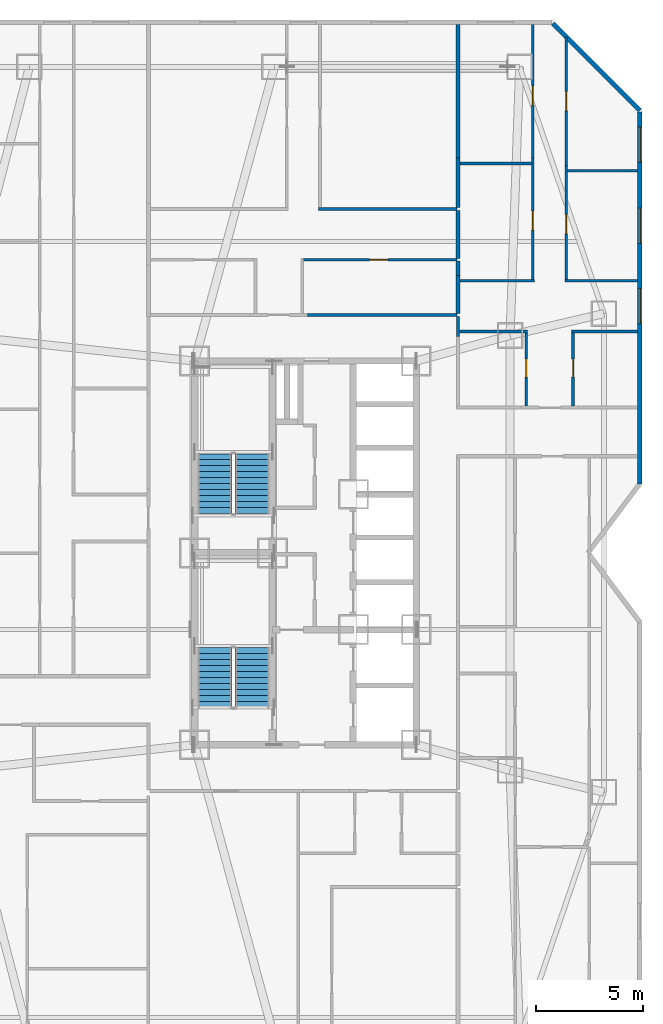
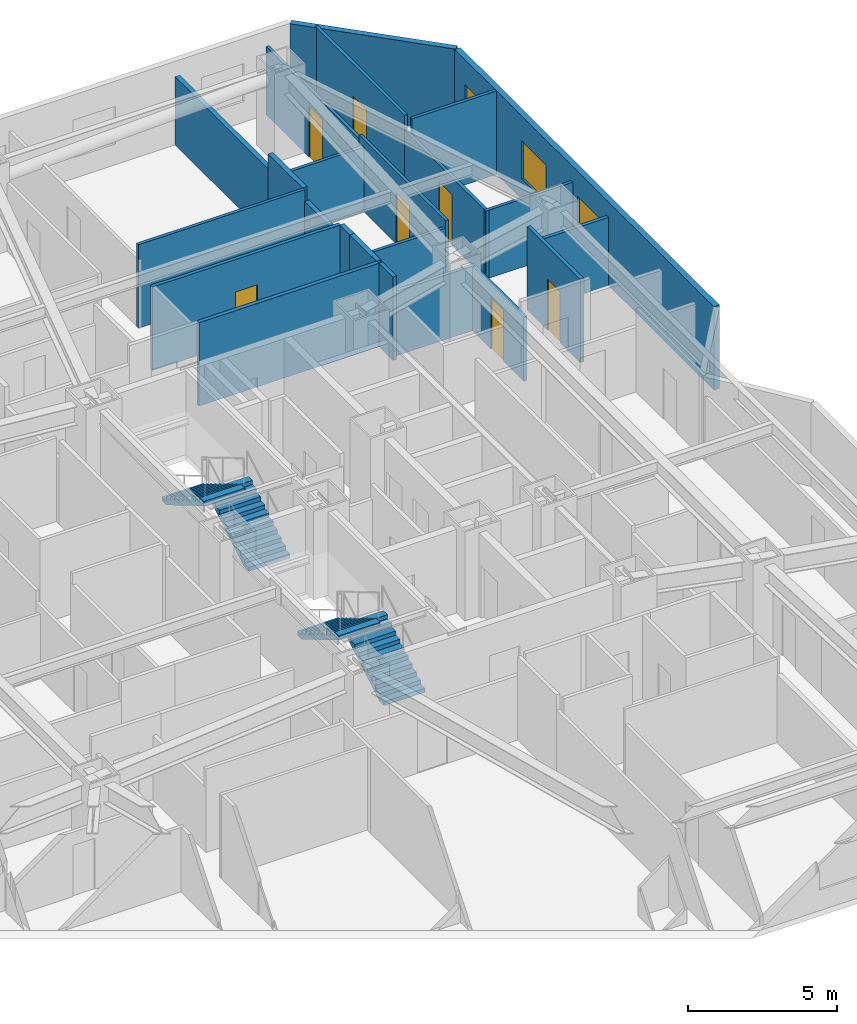
# One storey, part 23 of 25: 23 walls, 7 doors, 4 stair flights, 3 windows, 10 openings, 2 elements without a shape of their own.
"""IFC4 building model written with IfcOpenShell, lengths in metres."""

from ifc_helpers import new_model, si_unit, direction, frame, frame_2d, origin, place, context, subcontext, project, spatial, polyline, rectangle, outline, extrude, material, layer, layer_set, type_object, element, fill, aggregate, save


model = new_model("IFC4")

# Units and contexts
model_context = context("Model", 3, precision=1e-05, world=origin(), true_north=direction((0.0, 1.0)))
body_context = subcontext(model_context, "Body", "Model", "MODEL_VIEW")
ifc_project = project(units=[si_unit("LENGTHUNIT", "METRE"), si_unit("AREAUNIT", "SQUARE_METRE"), si_unit("VOLUMEUNIT", "CUBIC_METRE"), si_unit("PLANEANGLEUNIT", "RADIAN"), si_unit("MASSUNIT", "GRAM", prefix="KILO")], contexts=[model_context])

# Site, building, storey
site_placement = place(None, origin())
site = spatial("IfcSite", under=ifc_project, at=site_placement, CompositionType="ELEMENT")
building_placement = place(site_placement, origin())
building = spatial("IfcBuilding", under=site, at=building_placement, Name="Khamvora Tower", CompositionType="ELEMENT")
storey_placement = place(building_placement, frame((0.0, 0.0, 36.949951171875)))
storey = spatial("IfcBuildingStorey", under=building, at=storey_placement, Name="L08", CompositionType="ELEMENT", Elevation=36.949951171875)

# Walls
ifc_material_1 = material(Name="Fire-Rated Drywall and Steel Stud", Category="steel")
ifc_layer_1 = layer(ifc_material_1, 0.14990234375)
ifc_layer_set_1 = layer_set([ifc_layer_1], Name="Fire-Rated Drywall and Steel Stud")
wall_type_1 = type_object("IfcWallType", Name="WAL-CORR-150", PredefinedType="STANDARD", material=ifc_layer_set_1)
wall_1_placement = place(storey_placement, frame((34.299072265625, 39.1650390625, 0.0), z_axis=(0.0, 0.0, 1.0), x_axis=(1.0, 0.0, 0.0)))
element("IfcWall", 1, at=wall_1_placement, inside=storey, type_object=wall_type_1, Name="L08 interior partition wall 029", PredefinedType="STANDARD", context=body_context, shape_type="SweptSolid", body=[
    extrude(rectangle(XDim=7.0009765625, YDim=0.14990234375, at=frame_2d((3.50048828125, 0.0))), origin(), (0.0, 0.0, 1.0), 3.429931640625),
])
wall_2_placement = place(storey_placement, frame((41.364990234375, 39.10009765625, 0.0), z_axis=(0.0, 0.0, 1.0), x_axis=(0.0, -1.0, 0.0)))
element("IfcWall", 2, at=wall_2_placement, inside=storey, type_object=wall_type_1, Name="L08 interior partition wall 037", PredefinedType="STANDARD", context=body_context, shape_type="SweptSolid", body=[
    extrude(rectangle(XDim=0.9541015625, YDim=0.14990234375, at=frame_2d((0.47705078125, 0.0))), origin(), (0.0, 0.0, 1.0), 3.429931640625),
])
ifc_material_2 = material(Name="Acoustic Double-Stud Fire Wall", Category="gypsum")
ifc_layer_2 = layer(ifc_material_2, 0.179931640625)
ifc_layer_set_2 = layer_set([ifc_layer_2], Name="Acoustic Double-Stud Fire Wall")
wall_type_2 = type_object("IfcWallType", Name="WAL-CORR-180", PredefinedType="STANDARD", material=ifc_layer_set_2)
wall_3_placement = place(storey_placement, frame((41.364990234375, 44.069091796875, 0.0), z_axis=(0.0, 0.0, 1.0), x_axis=(0.0, -1.0, 0.0)))
element("IfcWall", 3, at=wall_3_placement, inside=storey, type_object=wall_type_2, Name="L08 interior partition wall 140", PredefinedType="STANDARD", context=body_context, shape_type="SweptSolid", body=[
    extrude(rectangle(XDim=2.25, YDim=0.179931640625, at=frame_2d((1.125, 0.0))), origin(), (0.0, 0.0, 1.0), 2.95703125),
])
wall_4_placement = place(storey_placement, frame((41.364990234375, 41.02392578125, 0.0), z_axis=(0.0, 0.0, 1.0), x_axis=(0.0, -1.0, 0.0)))
element("IfcWall", 4, at=wall_4_placement, inside=storey, type_object=wall_type_2, Name="L08 interior partition wall 141", PredefinedType="STANDARD", context=body_context, shape_type="SweptSolid", body=[
    extrude(rectangle(XDim=1.7939453125, YDim=0.179931640625, at=frame_2d((0.89697265625, 0.0))), origin(), (0.0, 0.0, 1.0), 3.429931640625),
])
wall_5_placement = place(storey_placement, frame((41.364990234375, 41.68896484375, 0.0), z_axis=(0.0, 0.0, 1.0), x_axis=(0.0, -1.0, 0.0)))
element("IfcWall", 5, at=wall_5_placement, inside=storey, type_object=wall_type_2, Name="L08 interior partition wall 142", PredefinedType="STANDARD", context=body_context, shape_type="SweptSolid", body=[
    extrude(rectangle(XDim=0.6650390625, YDim=0.179931640625, at=frame_2d((0.33251953125, 0.0))), origin(), (0.0, 0.0, 1.0), 3.429931640625),
])
wall_6_placement = place(storey_placement, frame((41.364990234375, 46.51708984375, 0.0), z_axis=(0.0, 0.0, 1.0), x_axis=(0.0, -1.0, 0.0)))
element("IfcWall", 6, at=wall_6_placement, inside=storey, type_object=wall_type_2, Name="L08 interior partition wall 143", PredefinedType="STANDARD", context=body_context, shape_type="SweptSolid", body=[
    extrude(rectangle(XDim=2.318115234375, YDim=0.179931640625, at=frame_2d((1.1591796875, 0.0))), origin(), (0.0, 0.0, 1.0), 3.429931640625),
])
wall_7_placement = place(storey_placement, frame((41.364990234375, 52.7880859375, 0.0), z_axis=(0.0, 0.0, 1.0), x_axis=(0.0, -1.0, 0.0)))
element("IfcWall", 7, at=wall_7_placement, inside=storey, type_object=wall_type_2, Name="L08 interior partition wall 144", PredefinedType="STANDARD", context=body_context, shape_type="SweptSolid", body=[
    extrude(rectangle(XDim=6.27099609375, YDim=0.179931640625, at=frame_2d((3.135498046875, 0.0))), origin(), (0.0, 0.0, 1.0), 2.802978515625),
])
ifc_material_3 = material(Name="Precast concrete C40/50", Category="concrete")
ifc_layer_3 = layer(ifc_material_3, 0.219970703125)
ifc_layer_set_3 = layer_set([ifc_layer_3], Name="Precast concrete C40/50")
wall_type_3 = type_object("IfcWallType", Name="WAL-EXT-220", PredefinedType="STANDARD", material=ifc_layer_set_3)
wall_8_placement = place(storey_placement, frame((45.802001953125, 52.842041015625, 0.0), z_axis=(0.0, 0.0, 1.0), x_axis=(0.707085666273, -0.70712789547, 0.0)))
element("IfcWall", 8, at=wall_8_placement, inside=storey, type_object=wall_type_3, Name="L08 exterior facade wall 08.1", PredefinedType="STANDARD", context=body_context, shape_type="SweptSolid", body=[
    extrude(rectangle(XDim=5.78125, YDim=0.219970703125, at=frame_2d((2.890625, 0.0))), origin(), (0.0, 0.0, 1.0), 3.429931640625),
])

# Wall, openings, windows
wall_9_placement = place(storey_placement, frame((49.889892578125, 48.68310546875, 0.0), z_axis=(0.0, 0.0, 1.0), x_axis=(0.0, -1.0, 0.0)))
wall_9 = element("IfcWall", 9, at=wall_9_placement, inside=storey, type_object=wall_type_3, Name="L08 exterior facade wall 09.1", PredefinedType="STANDARD", context=body_context, shape_type="SweptSolid", body=[
    extrude(rectangle(XDim=17.446044921875, YDim=0.219970703125, at=frame_2d((8.72314453125, 0.0))), origin(), (0.0, 0.0, 1.0), 3.429931640625),
])
opening_1_placement = place(wall_9_placement, frame((8.27294921875, 0.0, 0.85009765625)))
opening_1 = element("IfcOpeningElement", 10, at=opening_1_placement, cuts=wall_9, Name="Opening WN-06", PredefinedType="OPENING", context=body_context, shape_type="SweptSolid", body=[
    extrude(rectangle(XDim=1.64990234375, YDim=1.550048828125, at=frame_2d((0.824951171875, 0.77490234375))), frame((0.0, 0.119873046875, 0.0), z_axis=(0.0, -1.0, 0.0), x_axis=(1.0, 0.0, 0.0)), (0.0, 0.0, 1.0), 0.239990234375),
])
opening_2_placement = place(wall_9_placement, frame((4.507080078125, 0.0, 0.85009765625)))
opening_2 = element("IfcOpeningElement", 11, at=opening_2_placement, cuts=wall_9, Name="Opening WN-06", PredefinedType="OPENING", context=body_context, shape_type="SweptSolid", body=[
    extrude(rectangle(XDim=1.64990234375, YDim=1.550048828125, at=frame_2d((0.824951171875, 0.77490234375))), frame((0.0, 0.119873046875, 0.0), z_axis=(0.0, -1.0, 0.0), x_axis=(1.0, 0.0, 0.0)), (0.0, 0.0, 1.0), 0.239990234375),
])
opening_3_placement = place(wall_9_placement, frame((0.695068359375, 0.0, 0.85009765625)))
opening_3 = element("IfcOpeningElement", 12, at=opening_3_placement, cuts=wall_9, Name="Opening WN-06", PredefinedType="OPENING", context=body_context, shape_type="SweptSolid", body=[
    extrude(rectangle(XDim=1.64990234375, YDim=1.550048828125, at=frame_2d((0.824951171875, 0.77490234375))), frame((0.0, 0.119873046875, 0.0), z_axis=(0.0, -1.0, 0.0), x_axis=(1.0, 0.0, 0.0)), (0.0, 0.0, 1.0), 0.239990234375),
])
ifc_material_4 = material(Name="Low-E Laminated Double Glazing", Category="glass")
window_type = type_object("IfcWindowType", Name="WIN-VIS-1650x1550", PartitioningType="SINGLE_PANEL", PredefinedType="WINDOW", material=ifc_material_4)
window_1_placement = place(opening_1_placement, origin())
window_1 = element("IfcWindow", 13, at=window_1_placement, inside=storey, type_object=window_type, Name="L08 vision window 09.1.01", OverallHeight=1.550048828125, OverallWidth=1.64990234375, PartitioningType="SINGLE_PANEL", PredefinedType="WINDOW", context=body_context, shape_type="SweptSolid", body=[
    extrude(rectangle(XDim=1.64990234375, YDim=1.550048828125, at=frame_2d((0.824951171875, 0.77490234375))), frame((0.0, 0.030029296875, 0.0), z_axis=(0.0, -1.0, 0.0), x_axis=(1.0, 0.0, 0.0)), (0.0, 0.0, 1.0), 0.06005859375),
])
fill(opening_1, window_1)
window_2_placement = place(opening_2_placement, origin())
window_2 = element("IfcWindow", 14, at=window_2_placement, inside=storey, type_object=window_type, Name="L08 vision window 09.1.02", OverallHeight=1.550048828125, OverallWidth=1.64990234375, PartitioningType="SINGLE_PANEL", PredefinedType="WINDOW", context=body_context, shape_type="SweptSolid", body=[
    extrude(rectangle(XDim=1.64990234375, YDim=1.550048828125, at=frame_2d((0.824951171875, 0.77490234375))), frame((0.0, 0.030029296875, 0.0), z_axis=(0.0, -1.0, 0.0), x_axis=(1.0, 0.0, 0.0)), (0.0, 0.0, 1.0), 0.06005859375),
])
fill(opening_2, window_2)
window_3_placement = place(opening_3_placement, origin())
window_3 = element("IfcWindow", 15, at=window_3_placement, inside=storey, type_object=window_type, Name="L08 vision window 09.1.03", OverallHeight=1.550048828125, OverallWidth=1.64990234375, PartitioningType="SINGLE_PANEL", PredefinedType="WINDOW", context=body_context, shape_type="SweptSolid", body=[
    extrude(rectangle(XDim=1.64990234375, YDim=1.550048828125, at=frame_2d((0.824951171875, 0.77490234375))), frame((0.0, 0.030029296875, 0.0), z_axis=(0.0, -1.0, 0.0), x_axis=(1.0, 0.0, 0.0)), (0.0, 0.0, 1.0), 0.06005859375),
])
fill(opening_3, window_3)

# Walls
ifc_material_5 = material(Name="Gypsum Plasterboard Partition", Category="gypsum")
ifc_layer_4 = layer(ifc_material_5, 0.1201171875)
ifc_layer_set_4 = layer_set([ifc_layer_4], Name="Gypsum Plasterboard Partition")
wall_type_4 = type_object("IfcWallType", Name="WAL-PART-120", PredefinedType="PARTITIONING", material=ifc_layer_set_4)
wall_10_placement = place(storey_placement, frame((34.820068359375, 44.134033203125, 0.0), z_axis=(0.0, 0.0, 1.0), x_axis=(1.0, 0.0, 0.0)))
element("IfcWall", 16, at=wall_10_placement, inside=storey, type_object=wall_type_4, Name="L08 interior partition wall 139", PredefinedType="PARTITIONING", context=body_context, shape_type="SweptSolid", body=[
    extrude(rectangle(XDim=6.47998046875, YDim=0.1201171875, at=frame_2d((3.239990234375, 0.0))), origin(), (0.0, 0.0, 1.0), 3.429931640625),
])
wall_11_placement = place(storey_placement, frame((41.447021484375, 40.77490234375, 0.0), z_axis=(0.0, 0.0, 1.0), x_axis=(1.0, 0.0, 0.0)))
element("IfcWall", 17, at=wall_11_placement, inside=storey, type_object=wall_type_4, Name="L08 interior partition wall 163", PredefinedType="PARTITIONING", context=body_context, shape_type="SweptSolid", body=[
    extrude(rectangle(XDim=3.492919921875, YDim=0.1201171875, at=frame_2d((1.74658203125, 0.0))), origin(), (0.0, 0.0, 1.0), 2.64697265625),
])

# Wall, opening, door
wall_12_placement = place(storey_placement, frame((44.875, 40.7099609375, 0.0), z_axis=(0.0, 0.0, 1.0), x_axis=(0.0, 1.0, 0.0)))
wall_12 = element("IfcWall", 18, at=wall_12_placement, inside=storey, type_object=wall_type_4, Name="L08 interior partition wall 164", PredefinedType="PARTITIONING", context=body_context, shape_type="SweptSolid", body=[
    extrude(rectangle(XDim=5.80712890625, YDim=0.1201171875, at=frame_2d((2.903564453125, 0.0))), origin(), (0.0, 0.0, 1.0), 2.95703125),
])
opening_4_placement = place(wall_12_placement, frame((2.431884765625, 0.0, 0.0)))
opening_4 = element("IfcOpeningElement", 19, at=opening_4_placement, cuts=wall_12, Name="Opening D-RM1", PredefinedType="OPENING", context=body_context, shape_type="SweptSolid", body=[
    extrude(rectangle(XDim=0.89990234375, YDim=2.10009765625, at=frame_2d((0.449951171875, 1.050048828125))), frame((0.0, 0.070068359375, 0.0), z_axis=(0.0, -1.0, 0.0), x_axis=(1.0, 0.0, 0.0)), (0.0, 0.0, 1.0), 0.14013671875),
])
ifc_material_6 = material(Name="Powder-Coated Steel and Hardwood Leaf", Category="steel")
door_type_1 = type_object("IfcDoorType", Name="DOR-ROOM-900", OperationType="NOTDEFINED", PredefinedType="DOOR", material=ifc_material_6)
door_1_placement = place(opening_4_placement, origin())
door_1 = element("IfcDoor", 20, at=door_1_placement, inside=storey, type_object=door_type_1, Name="L08 interior door 08ECH-08ECL", OperationType="SINGLE_SWING_LEFT", OverallHeight=2.10009765625, OverallWidth=0.89990234375, PredefinedType="DOOR", context=body_context, shape_type="SweptSolid", body=[
    extrude(rectangle(XDim=0.89990234375, YDim=2.10009765625, at=frame_2d((0.449951171875, 1.050048828125))), frame((0.0, 0.02490234375, 0.0), z_axis=(0.0, -1.0, 0.0), x_axis=(1.0, 0.0, 0.0)), (0.0, 0.0, 1.0), 0.050048828125),
])
fill(opening_4, door_1)

wall_13_placement = place(storey_placement, frame((44.875, 46.51708984375, 0.0), z_axis=(0.0, 0.0, 1.0), x_axis=(0.0, 1.0, 0.0)))
wall_13 = element("IfcWall", 21, at=wall_13_placement, inside=storey, type_object=wall_type_4, Name="L08 interior partition wall 165", PredefinedType="PARTITIONING", context=body_context, shape_type="SweptSolid", body=[
    extrude(rectangle(XDim=6.27099609375, YDim=0.1201171875, at=frame_2d((3.135498046875, 0.0))), origin(), (0.0, 0.0, 1.0), 2.802978515625),
])
opening_5_placement = place(wall_13_placement, frame((2.48388671875, 0.0, 0.0)))
opening_5 = element("IfcOpeningElement", 22, at=opening_5_placement, cuts=wall_13, Name="Opening D-RM1", PredefinedType="OPENING", context=body_context, shape_type="SweptSolid", body=[
    extrude(rectangle(XDim=0.89990234375, YDim=2.10009765625, at=frame_2d((0.449951171875, 1.050048828125))), frame((0.0, 0.070068359375, 0.0), z_axis=(0.0, -1.0, 0.0), x_axis=(1.0, 0.0, 0.0)), (0.0, 0.0, 1.0), 0.14013671875),
])
door_2_placement = place(opening_5_placement, origin())
door_2 = element("IfcDoor", 23, at=door_2_placement, inside=storey, type_object=door_type_1, Name="L08 interior door 08ECH-08ECR2", OperationType="SINGLE_SWING_LEFT", OverallHeight=2.10009765625, OverallWidth=0.89990234375, PredefinedType="DOOR", context=body_context, shape_type="SweptSolid", body=[
    extrude(rectangle(XDim=0.89990234375, YDim=2.10009765625, at=frame_2d((0.449951171875, 1.050048828125))), frame((0.0, 0.02490234375, 0.0), z_axis=(0.0, -1.0, 0.0), x_axis=(1.0, 0.0, 0.0)), (0.0, 0.0, 1.0), 0.050048828125),
])
fill(opening_5, door_2)

# Wall
wall_14_placement = place(storey_placement, frame((46.3798828125, 40.77490234375, 0.0), z_axis=(0.0, 0.0, 1.0), x_axis=(1.0, 0.0, 0.0)))
element("IfcWall", 24, at=wall_14_placement, inside=storey, type_object=wall_type_4, Name="L08 interior partition wall 166", PredefinedType="PARTITIONING", context=body_context, shape_type="SweptSolid", body=[
    extrude(rectangle(XDim=3.408203125, YDim=0.1201171875, at=frame_2d((1.7041015625, 0.0))), origin(), (0.0, 0.0, 1.0), 2.802978515625),
])

# Wall, opening, door
wall_15_placement = place(storey_placement, frame((46.445068359375, 46.177001953125, 0.0), z_axis=(0.0, 0.0, 1.0), x_axis=(0.0, -1.0, 0.0)))
wall_15 = element("IfcWall", 25, at=wall_15_placement, inside=storey, type_object=wall_type_4, Name="L08 interior partition wall 167", PredefinedType="PARTITIONING", context=body_context, shape_type="SweptSolid", body=[
    extrude(rectangle(XDim=5.467041015625, YDim=0.1201171875, at=frame_2d((2.7333984375, 0.0))), origin(), (0.0, 0.0, 1.0), 2.802978515625),
])
opening_6_placement = place(wall_15_placement, frame((2.303955078125, 0.0, 0.0)))
opening_6 = element("IfcOpeningElement", 26, at=opening_6_placement, cuts=wall_15, Name="Opening D-RM1", PredefinedType="OPENING", context=body_context, shape_type="SweptSolid", body=[
    extrude(rectangle(XDim=0.89990234375, YDim=2.10009765625, at=frame_2d((0.449951171875, 1.050048828125))), frame((0.0, 0.070068359375, 0.0), z_axis=(0.0, -1.0, 0.0), x_axis=(1.0, 0.0, 0.0)), (0.0, 0.0, 1.0), 0.14013671875),
])
door_3_placement = place(opening_6_placement, origin())
door_3 = element("IfcDoor", 27, at=door_3_placement, inside=storey, type_object=door_type_1, Name="L08 interior door 08ECH-08ECR3", OperationType="SINGLE_SWING_RIGHT", OverallHeight=2.10009765625, OverallWidth=0.89990234375, PredefinedType="DOOR", context=body_context, shape_type="SweptSolid", body=[
    extrude(rectangle(XDim=0.89990234375, YDim=2.10009765625, at=frame_2d((0.449951171875, 1.050048828125))), frame((0.0, 0.02490234375, 0.0), z_axis=(0.0, -1.0, 0.0), x_axis=(1.0, 0.0, 0.0)), (0.0, 0.0, 1.0), 0.050048828125),
])
fill(opening_6, door_3)

wall_16_placement = place(storey_placement, frame((46.445068359375, 52.2080078125, 0.0), z_axis=(0.0, 0.0, 1.0), x_axis=(0.0, -1.0, 0.0)))
wall_16 = element("IfcWall", 28, at=wall_16_placement, inside=storey, type_object=wall_type_4, Name="L08 interior partition wall 168", PredefinedType="PARTITIONING", context=body_context, shape_type="SweptSolid", body=[
    extrude(rectangle(XDim=6.031005859375, YDim=0.1201171875, at=frame_2d((3.015625, 0.0))), origin(), (0.0, 0.0, 1.0), 3.429931640625),
])
opening_7_placement = place(wall_16_placement, frame((2.56494140625, 0.0, 0.0)))
opening_7 = element("IfcOpeningElement", 29, at=opening_7_placement, cuts=wall_16, Name="Opening D-RM1", PredefinedType="OPENING", context=body_context, shape_type="SweptSolid", body=[
    extrude(rectangle(XDim=0.89990234375, YDim=2.10009765625, at=frame_2d((0.449951171875, 1.050048828125))), frame((0.0, 0.070068359375, 0.0), z_axis=(0.0, -1.0, 0.0), x_axis=(1.0, 0.0, 0.0)), (0.0, 0.0, 1.0), 0.14013671875),
])
door_4_placement = place(opening_7_placement, origin())
door_4 = element("IfcDoor", 30, at=door_4_placement, inside=storey, type_object=door_type_1, Name="L08 interior door 08ECH-08ECR4", OperationType="SINGLE_SWING_LEFT", OverallHeight=2.10009765625, OverallWidth=0.89990234375, PredefinedType="DOOR", context=body_context, shape_type="SweptSolid", body=[
    extrude(rectangle(XDim=0.89990234375, YDim=2.10009765625, at=frame_2d((0.449951171875, 1.050048828125))), frame((0.0, 0.02490234375, 0.0), z_axis=(0.0, -1.0, 0.0), x_axis=(1.0, 0.0, 0.0)), (0.0, 0.0, 1.0), 0.050048828125),
])
fill(opening_7, door_4)

# Walls
wall_17_placement = place(storey_placement, frame((41.447021484375, 46.26806640625, 0.0), z_axis=(0.0, 0.0, 1.0), x_axis=(1.0, 0.0, 0.0)))
element("IfcWall", 31, at=wall_17_placement, inside=storey, type_object=wall_type_4, Name="L08 interior partition wall 169", PredefinedType="PARTITIONING", context=body_context, shape_type="SweptSolid", body=[
    extrude(rectangle(XDim=3.3740234375, YDim=0.1201171875, at=frame_2d((1.68701171875, 0.0))), origin(), (0.0, 0.0, 1.0), 2.64697265625),
])
wall_18_placement = place(storey_placement, frame((46.4990234375, 45.927978515625, 0.0), z_axis=(0.0, 0.0, 1.0), x_axis=(1.0, 0.0, 0.0)))
element("IfcWall", 32, at=wall_18_placement, inside=storey, type_object=wall_type_4, Name="L08 interior partition wall 170", PredefinedType="PARTITIONING", context=body_context, shape_type="SweptSolid", body=[
    extrude(rectangle(XDim=3.2890625, YDim=0.1201171875, at=frame_2d((1.64453125, 0.0))), origin(), (0.0, 0.0, 1.0), 3.429931640625),
])

# Wall, opening, door
ifc_material_7 = material(Name="Moisture-Resistant Plasterboard Partition", Category="gypsum")
ifc_layer_5 = layer(ifc_material_7, 0.135009765625)
ifc_layer_set_5 = layer_set([ifc_layer_5], Name="Moisture-Resistant Plasterboard Partition")
wall_type_5 = type_object("IfcWallType", Name="WAL-WET-135", PredefinedType="PARTITIONING", material=ifc_layer_set_5)
wall_19_placement = place(storey_placement, frame((41.300048828125, 41.75390625, 0.0), z_axis=(0.0, 0.0, 1.0), x_axis=(-1.0, 0.0, 0.0)))
wall_19 = element("IfcWall", 33, at=wall_19_placement, inside=storey, type_object=wall_type_5, Name="L08 interior partition wall 134", PredefinedType="PARTITIONING", context=body_context, shape_type="SweptSolid", body=[
    extrude(rectangle(XDim=7.31494140625, YDim=0.135009765625, at=frame_2d((3.657470703125, 0.0))), origin(), (0.0, 0.0, 1.0), 3.429931640625),
])
opening_8_placement = place(wall_19_placement, frame((3.23291015625, 0.0, 0.0)))
opening_8 = element("IfcOpeningElement", 34, at=opening_8_placement, cuts=wall_19, Name="Opening D-RM2", PredefinedType="OPENING", context=body_context, shape_type="SweptSolid", body=[
    extrude(rectangle(XDim=0.85009765625, YDim=2.10009765625, at=frame_2d((0.425048828125, 1.050048828125))), frame((0.0, 0.077392578125, 0.0), z_axis=(0.0, -1.0, 0.0), x_axis=(1.0, 0.0, 0.0)), (0.0, 0.0, 1.0), 0.155029296875),
])
door_type_2 = type_object("IfcDoorType", Name="DOR-ROOM-850", OperationType="NOTDEFINED", PredefinedType="DOOR", material=ifc_material_6)
door_5_placement = place(opening_8_placement, origin())
door_5 = element("IfcDoor", 35, at=door_5_placement, inside=storey, type_object=door_type_2, Name="L08 interior door 08NAH-08NAK", OperationType="SINGLE_SWING_RIGHT", OverallHeight=2.10009765625, OverallWidth=0.85009765625, PredefinedType="DOOR", context=body_context, shape_type="SweptSolid", body=[
    extrude(rectangle(XDim=0.85009765625, YDim=2.10009765625, at=frame_2d((0.425048828125, 1.050048828125))), frame((0.0, 0.02490234375, 0.0), z_axis=(0.0, -1.0, 0.0), x_axis=(1.0, 0.0, 0.0)), (0.0, 0.0, 1.0), 0.050048828125),
])
fill(opening_8, door_5)

wall_20_placement = place(storey_placement, frame((44.56005859375, 34.8798828125, 0.0), z_axis=(0.0, 0.0, 1.0), x_axis=(0.0, 1.0, 0.0)))
wall_20 = element("IfcWall", 36, at=wall_20_placement, inside=storey, type_object=wall_type_5, Name="L08 interior partition wall 159", PredefinedType="PARTITIONING", context=body_context, shape_type="SweptSolid", body=[
    extrude(rectangle(XDim=3.580078125, YDim=0.135009765625, at=frame_2d((1.7900390625, 0.0))), origin(), (0.0, 0.0, 1.0), 2.64697265625),
])
opening_9_placement = place(wall_20_placement, frame((1.364990234375, 0.0, 0.0)))
opening_9 = element("IfcOpeningElement", 37, at=opening_9_placement, cuts=wall_20, Name="Opening D-WC1", PredefinedType="OPENING", context=body_context, shape_type="SweptSolid", body=[
    extrude(rectangle(XDim=0.85009765625, YDim=2.10009765625, at=frame_2d((0.425048828125, 1.050048828125))), frame((0.0, 0.077392578125, 0.0), z_axis=(0.0, -1.0, 0.0), x_axis=(1.0, 0.0, 0.0)), (0.0, 0.0, 1.0), 0.155029296875),
])
door_type_3 = type_object("IfcDoorType", Name="DOR-WET-850", OperationType="NOTDEFINED", PredefinedType="DOOR", material=ifc_material_6)
door_6_placement = place(opening_9_placement, origin())
door_6 = element("IfcDoor", 38, at=door_6_placement, inside=storey, type_object=door_type_3, Name="L08 interior door 08ECH-08ECB", OperationType="SINGLE_SWING_LEFT", OverallHeight=2.10009765625, OverallWidth=0.85009765625, PredefinedType="DOOR", context=body_context, shape_type="SweptSolid", body=[
    extrude(rectangle(XDim=0.85009765625, YDim=2.10009765625, at=frame_2d((0.425048828125, 1.050048828125))), frame((0.0, 0.02490234375, 0.0), z_axis=(0.0, -1.0, 0.0), x_axis=(1.0, 0.0, 0.0)), (0.0, 0.0, 1.0), 0.050048828125),
])
fill(opening_9, door_6)

# Walls
wall_21_placement = place(storey_placement, frame((44.625, 38.39501953125, 0.0), z_axis=(0.0, 0.0, 1.0), x_axis=(-1.0, 0.0, 0.0)))
element("IfcWall", 39, at=wall_21_placement, inside=storey, type_object=wall_type_5, Name="L08 interior partition wall 160", PredefinedType="PARTITIONING", context=body_context, shape_type="SweptSolid", body=[
    extrude(rectangle(XDim=3.193115234375, YDim=0.135009765625, at=frame_2d((1.5966796875, 0.0))), origin(), (0.0, 0.0, 1.0), 2.64697265625),
])
wall_22_placement = place(storey_placement, frame((49.7880859375, 38.39501953125, 0.0), z_axis=(0.0, 0.0, 1.0), x_axis=(-1.0, 0.0, 0.0)))
element("IfcWall", 40, at=wall_22_placement, inside=storey, type_object=wall_type_5, Name="L08 interior partition wall 161", PredefinedType="PARTITIONING", context=body_context, shape_type="SweptSolid", body=[
    extrude(rectangle(XDim=3.093017578125, YDim=0.135009765625, at=frame_2d((1.54638671875, 0.0))), origin(), (0.0, 0.0, 1.0), 2.802978515625),
])

# Wall, opening, door
wall_23_placement = place(storey_placement, frame((46.760009765625, 38.4599609375, 0.0), z_axis=(0.0, 0.0, 1.0), x_axis=(0.0, -1.0, 0.0)))
wall_23 = element("IfcWall", 41, at=wall_23_placement, inside=storey, type_object=wall_type_5, Name="L08 interior partition wall 162", PredefinedType="PARTITIONING", context=body_context, shape_type="SweptSolid", body=[
    extrude(rectangle(XDim=3.580078125, YDim=0.135009765625, at=frame_2d((1.7900390625, 0.0))), origin(), (0.0, 0.0, 1.0), 3.429931640625),
])
opening_10_placement = place(wall_23_placement, frame((1.364990234375, 0.0, 0.0)))
opening_10 = element("IfcOpeningElement", 42, at=opening_10_placement, cuts=wall_23, Name="Opening D-RM2", PredefinedType="OPENING", context=body_context, shape_type="SweptSolid", body=[
    extrude(rectangle(XDim=0.85009765625, YDim=2.10009765625, at=frame_2d((0.425048828125, 1.050048828125))), frame((0.0, 0.077392578125, 0.0), z_axis=(0.0, -1.0, 0.0), x_axis=(1.0, 0.0, 0.0)), (0.0, 0.0, 1.0), 0.155029296875),
])
door_7_placement = place(opening_10_placement, origin())
door_7 = element("IfcDoor", 43, at=door_7_placement, inside=storey, type_object=door_type_2, Name="L08 interior door 08ECH-08ECK", OperationType="SINGLE_SWING_RIGHT", OverallHeight=2.10009765625, OverallWidth=0.85009765625, PredefinedType="DOOR", context=body_context, shape_type="SweptSolid", body=[
    extrude(rectangle(XDim=0.85009765625, YDim=2.10009765625, at=frame_2d((0.425048828125, 1.050048828125))), frame((0.0, 0.02490234375, 0.0), z_axis=(0.0, -1.0, 0.0), x_axis=(1.0, 0.0, 0.0)), (0.0, 0.0, 1.0), 0.050048828125),
])
fill(opening_10, door_7)

# Stair, stair flights
ifc_material_8 = material(Name="Concrete C40/50", Category="concrete")
stair_type_1 = type_object("IfcStairType", Name="STR-ST-01", PredefinedType="HALF_TURN_STAIR", material=ifc_material_8)
stair_1_placement = place(storey_placement, origin())
stair_1 = element("IfcStair", 44, at=stair_1_placement, inside=storey, type_object=stair_type_1, Name="L08 South Tower Exit Stair ST-01", PredefinedType="HALF_TURN_STAIR")
stair_flight_type_1 = type_object("IfcStairFlightType", Name="STF-ST-01", PredefinedType="STRAIGHT", material=ifc_material_8)
stair_flight_1_placement = place(storey_placement, frame((31.699951171875, 20.75, 0.0), z_axis=(0.0, 0.0, 1.0), x_axis=(0.0, 1.0, 0.0)))
stair_flight_1 = element("IfcStairFlight", 45, at=stair_flight_1_placement, type_object=stair_flight_type_1, Name="ST-01 flight 1", NumberOfRisers=11, NumberOfTreads=10, PredefinedType="STRAIGHT", RiserHeight=0.165909091, TreadLength=0.28, context=body_context, shape_type="SweptSolid", body=[
    extrude(outline(polyline([(0.0, 0.0), (0.0, 0.166015625), (0.280029296875, 0.166015625), (0.280029296875, 0.331787109375), (0.56005859375, 0.331787109375), (0.56005859375, 0.497802734375), (0.840087890625, 0.497802734375), (0.840087890625, 0.66357421875), (1.1201171875, 0.66357421875), (1.1201171875, 0.82958984375), (1.39990234375, 0.82958984375), (1.39990234375, 0.995361328125), (1.679931640625, 0.995361328125), (1.679931640625, 1.161376953125), (1.9599609375, 1.161376953125), (1.9599609375, 1.327392578125), (2.239990234375, 1.327392578125), (2.239990234375, 1.4931640625), (2.52001953125, 1.4931640625), (2.52001953125, 1.6591796875), (2.800048828125, 1.6591796875), (2.800048828125, 1.824951171875), (2.800048828125, 1.48486328125), (0.2939453125, 0.0), (0.0, 0.0)])), frame((0.0, 0.800048828125, 0.0), z_axis=(0.0, -1.0, 0.0), x_axis=(1.0, 0.0, 0.0)), (0.0, 0.0, 1.0), 1.60009765625),
])
stair_flight_2_placement = place(storey_placement, frame((29.949951171875, 23.550048828125, 1.824951171875), z_axis=(0.0, 0.0, 1.0), x_axis=(0.0, -1.0, 0.0)))
stair_flight_2 = element("IfcStairFlight", 46, at=stair_flight_2_placement, type_object=stair_flight_type_1, Name="ST-01 flight 2", NumberOfRisers=11, NumberOfTreads=10, PredefinedType="STRAIGHT", RiserHeight=0.165909091, TreadLength=0.28, context=body_context, shape_type="SweptSolid", body=[
    extrude(outline(polyline([(0.0, 0.0), (0.0, 0.166015625), (0.280029296875, 0.166015625), (0.280029296875, 0.331787109375), (0.56005859375, 0.331787109375), (0.56005859375, 0.497802734375), (0.840087890625, 0.497802734375), (0.840087890625, 0.66357421875), (1.1201171875, 0.66357421875), (1.1201171875, 0.82958984375), (1.39990234375, 0.82958984375), (1.39990234375, 0.995361328125), (1.679931640625, 0.995361328125), (1.679931640625, 1.161376953125), (1.9599609375, 1.161376953125), (1.9599609375, 1.327392578125), (2.239990234375, 1.327392578125), (2.239990234375, 1.4931640625), (2.52001953125, 1.4931640625), (2.52001953125, 1.6591796875), (2.800048828125, 1.6591796875), (2.800048828125, 1.824951171875), (2.800048828125, 1.48486328125), (0.2939453125, 0.0), (0.0, 0.0)])), frame((0.0, 0.800048828125, 0.0), z_axis=(0.0, -1.0, 0.0), x_axis=(1.0, 0.0, 0.0)), (0.0, 0.0, 1.0), 1.60009765625),
])
aggregate(stair_1, [stair_flight_1, stair_flight_2])

stair_type_2 = type_object("IfcStairType", Name="STR-ST-02", PredefinedType="HALF_TURN_STAIR", material=ifc_material_8)
stair_2_placement = place(storey_placement, origin())
stair_2 = element("IfcStair", 47, at=stair_2_placement, inside=storey, type_object=stair_type_2, Name="L08 North Tower Exit Stair ST-02", PredefinedType="HALF_TURN_STAIR")
stair_flight_type_2 = type_object("IfcStairFlightType", Name="STF-ST-02", PredefinedType="STRAIGHT", material=ifc_material_8)
stair_flight_3_placement = place(storey_placement, frame((31.699951171875, 29.85009765625, 0.0), z_axis=(0.0, 0.0, 1.0), x_axis=(0.0, 1.0, 0.0)))
stair_flight_3 = element("IfcStairFlight", 48, at=stair_flight_3_placement, type_object=stair_flight_type_2, Name="ST-02 flight 1", NumberOfRisers=11, NumberOfTreads=10, PredefinedType="STRAIGHT", RiserHeight=0.165909091, TreadLength=0.28, context=body_context, shape_type="SweptSolid", body=[
    extrude(outline(polyline([(0.0, 0.0), (0.0, 0.166015625), (0.280029296875, 0.166015625), (0.280029296875, 0.331787109375), (0.56005859375, 0.331787109375), (0.56005859375, 0.497802734375), (0.840087890625, 0.497802734375), (0.840087890625, 0.66357421875), (1.1201171875, 0.66357421875), (1.1201171875, 0.82958984375), (1.39990234375, 0.82958984375), (1.39990234375, 0.995361328125), (1.679931640625, 0.995361328125), (1.679931640625, 1.161376953125), (1.9599609375, 1.161376953125), (1.9599609375, 1.327392578125), (2.239990234375, 1.327392578125), (2.239990234375, 1.4931640625), (2.52001953125, 1.4931640625), (2.52001953125, 1.6591796875), (2.800048828125, 1.6591796875), (2.800048828125, 1.824951171875), (2.800048828125, 1.48486328125), (0.2939453125, 0.0), (0.0, 0.0)])), frame((0.0, 0.800048828125, 0.0), z_axis=(0.0, -1.0, 0.0), x_axis=(1.0, 0.0, 0.0)), (0.0, 0.0, 1.0), 1.60009765625),
])
stair_flight_4_placement = place(storey_placement, frame((29.949951171875, 32.64990234375, 1.824951171875), z_axis=(0.0, 0.0, 1.0), x_axis=(0.0, -1.0, 0.0)))
stair_flight_4 = element("IfcStairFlight", 49, at=stair_flight_4_placement, type_object=stair_flight_type_2, Name="ST-02 flight 2", NumberOfRisers=11, NumberOfTreads=10, PredefinedType="STRAIGHT", RiserHeight=0.165909091, TreadLength=0.28, context=body_context, shape_type="SweptSolid", body=[
    extrude(outline(polyline([(0.0, 0.0), (0.0, 0.166015625), (0.280029296875, 0.166015625), (0.280029296875, 0.331787109375), (0.56005859375, 0.331787109375), (0.56005859375, 0.497802734375), (0.840087890625, 0.497802734375), (0.840087890625, 0.66357421875), (1.1201171875, 0.66357421875), (1.1201171875, 0.82958984375), (1.39990234375, 0.82958984375), (1.39990234375, 0.995361328125), (1.679931640625, 0.995361328125), (1.679931640625, 1.161376953125), (1.9599609375, 1.161376953125), (1.9599609375, 1.327392578125), (2.239990234375, 1.327392578125), (2.239990234375, 1.4931640625), (2.52001953125, 1.4931640625), (2.52001953125, 1.6591796875), (2.800048828125, 1.6591796875), (2.800048828125, 1.824951171875), (2.800048828125, 1.48486328125), (0.2939453125, 0.0), (0.0, 0.0)])), frame((0.0, 0.800048828125, 0.0), z_axis=(0.0, -1.0, 0.0), x_axis=(1.0, 0.0, 0.0)), (0.0, 0.0, 1.0), 1.60009765625),
])
aggregate(stair_2, [stair_flight_3, stair_flight_4])

save(model, "model.ifc")
